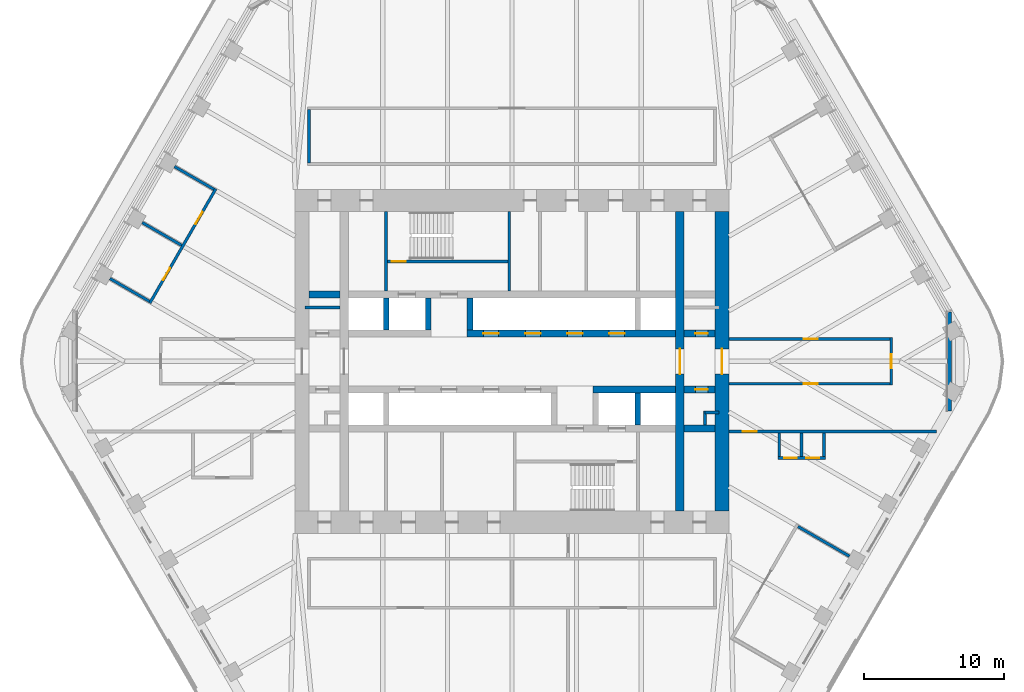
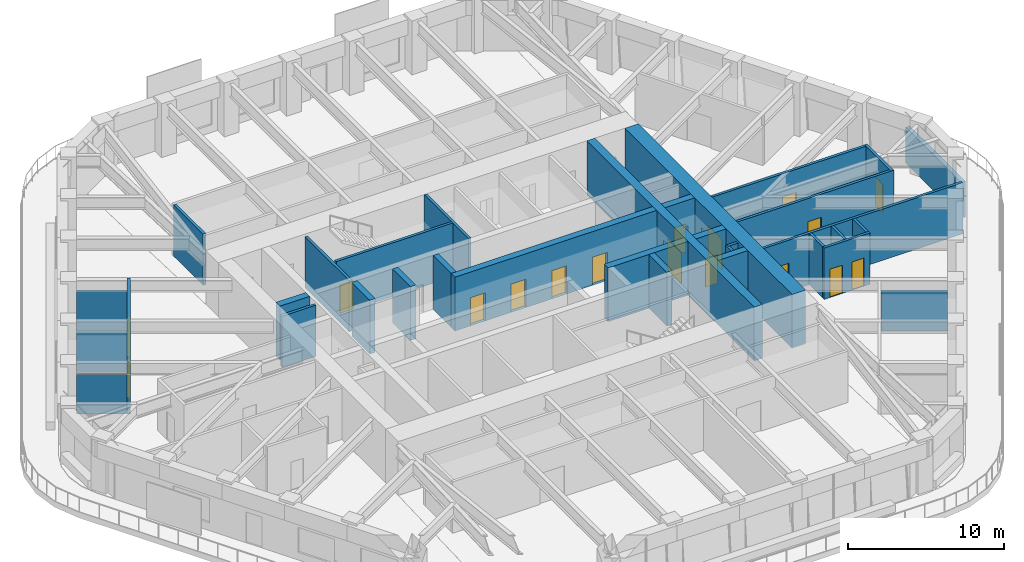
# One storey, part 16 of 20: 33 walls, 17 doors, 17 openings.
"""IFC4 building model written with IfcOpenShell, lengths in metres."""

from ifc_helpers import new_model, si_unit, direction, frame, frame_2d, origin, place, context, subcontext, project, spatial, rectangle, extrude, material, layer, layer_set, type_object, element, fill, save


model = new_model("IFC4")

# Units and contexts
model_context = context("Model", 3, precision=1e-05, world=origin(), true_north=direction((0.0, 1.0)))
body_context = subcontext(model_context, "Body", "Model", "MODEL_VIEW")
ifc_project = project(units=[si_unit("LENGTHUNIT", "METRE"), si_unit("AREAUNIT", "SQUARE_METRE"), si_unit("VOLUMEUNIT", "CUBIC_METRE"), si_unit("PLANEANGLEUNIT", "RADIAN"), si_unit("MASSUNIT", "GRAM", prefix="KILO")], contexts=[model_context])

# Site, building, storey
site_placement = place(None, origin())
site = spatial("IfcSite", under=ifc_project, at=site_placement, CompositionType="ELEMENT")
building_placement = place(site_placement, origin())
building = spatial("IfcBuilding", under=site, at=building_placement, Name="Tarfa Lantern Tower", CompositionType="ELEMENT")
storey_placement = place(building_placement, frame((0.0, 0.0, 286.89990234375)))
storey = spatial("IfcBuildingStorey", under=building, at=storey_placement, Name="L65", CompositionType="ELEMENT", Elevation=286.89990234375)

# Walls
ifc_material_1 = material(Name="Limestone cladding on blockwork", Category="masonry")
ifc_layer_1 = layer(ifc_material_1, 0.300048828125)
ifc_layer_set_1 = layer_set([ifc_layer_1], Name="EW1 STONE-CLAD WALL 300")
wall_type_1 = type_object("IfcWallType", Name="EW1 STONE-CLAD WALL 300", PredefinedType="SOLIDWALL", material=ifc_layer_set_1)
wall_1_placement = place(storey_placement, frame((31.262939453125, -3.55078125, 0.0), z_axis=(0.0, 0.0, 1.0), x_axis=(0.0, 1.0, 0.0)))
element("IfcWall", 1, at=wall_1_placement, inside=storey, type_object=wall_type_1, Name="Garden wall SE-NE", PredefinedType="SOLIDWALL", context=body_context, shape_type="SweptSolid", body=[
    extrude(rectangle(XDim=7.1015625, YDim=0.300048828125, at=frame_2d((3.55078125, 0.0))), origin(), (0.0, 0.0, 1.0), 2.800048828125),
])
ifc_material_2 = material(Name="Concrete blockwork", Category="masonry")
ifc_layer_2 = layer(ifc_material_2, 0.199951171875)
ifc_layer_set_2 = layer_set([ifc_layer_2], Name="IW1 BLOCKWORK PARTITION 200 EI 120")
wall_type_2 = type_object("IfcWallType", Name="IW1 BLOCKWORK PARTITION 200 EI 120", PredefinedType="PARTITIONING", material=ifc_layer_set_2)
wall_2_placement = place(storey_placement, frame((-9.0, 5.050048828125, 0.0), z_axis=(0.0, 0.0, 1.0), x_axis=(0.0, 1.0, 0.0)))
element("IfcWall", 2, at=wall_2_placement, inside=storey, type_object=wall_type_2, Name="Core partition", PredefinedType="PARTITIONING", context=body_context, shape_type="SweptSolid", body=[
    extrude(rectangle(XDim=5.64990234375, YDim=0.199951171875, at=frame_2d((2.824951171875, 0.0))), origin(), (0.0, 0.0, 1.0), 4.0),
])
wall_3_placement = place(storey_placement, frame((-14.800048828125, 3.85009765625, 0.0), z_axis=(0.0, 0.0, 1.0), x_axis=(1.0, 0.0, 0.0)))
element("IfcWall", 3, at=wall_3_placement, inside=storey, type_object=wall_type_2, Name="Core partition", PredefinedType="PARTITIONING", context=body_context, shape_type="SweptSolid", body=[
    extrude(rectangle(XDim=2.5, YDim=0.199951171875, at=frame_2d((1.25, 0.0))), origin(), (0.0, 0.0, 1.0), 4.0),
])
for number, where, z_axis, x_axis, name in (
    (4, (14.800048828125, -3.64990234375, 0.0), (0.0, 0.0, 1.0), (-1.0, 0.0, 0.0), "Core partition"),
    (5, (13.800048828125, -3.550048828125, 0.0), (0.0, 0.0, 1.0), (0.0, -1.0, 0.0), "Core partition"),
):
    element("IfcWall", number, at=place(storey_placement, frame(where, z_axis=z_axis, x_axis=x_axis)), inside=storey, type_object=wall_type_2, Name=name, PredefinedType="PARTITIONING", context=body_context, shape_type="SweptSolid", body=[
        extrude(rectangle(XDim=1.0, YDim=0.199951171875, at=frame_2d((0.5, 0.0))), origin(), (0.0, 0.0, 1.0), 4.0),
    ])
ifc_material_3 = material(Name="Gypsum board on steel studs", Category="steel")
ifc_layer_3 = layer(ifc_material_3, 0.2099609375)
ifc_layer_set_3 = layer_set([ifc_layer_3], Name="IW2 ACOUSTIC PARTITION 200")
wall_type_3 = type_object("IfcWallType", Name="IW2 ACOUSTIC PARTITION 200", PredefinedType="PARTITIONING", material=ifc_layer_set_3)
wall_4_placement = place(storey_placement, frame((-14.5, 14.199951171875, 0.0), z_axis=(0.0, 0.0, 1.0), x_axis=(0.0, 1.0, 0.0)))
element("IfcWall", 6, at=wall_4_placement, inside=storey, type_object=wall_type_3, Name="Partition", PredefinedType="PARTITIONING", context=body_context, shape_type="SweptSolid", body=[
    extrude(rectangle(XDim=3.800048828125, YDim=0.199951171875, at=frame_2d((1.89990234375, 0.0))), origin(), (0.0, 0.0, 1.0), 4.0),
])

# Wall, openings, doors
wall_5_placement = place(storey_placement, frame((-21.167724609375, 12.336669921875, 0.0), z_axis=(0.0, 0.0, 1.0), x_axis=(-0.499989672313, -0.866031366395, 0.0)))
wall_5 = element("IfcWall", 7, at=wall_5_placement, inside=storey, type_object=wall_type_3, Name="Partition", PredefinedType="PARTITIONING", context=body_context, shape_type="SweptSolid", body=[
    extrude(rectangle(XDim=9.437744140625, YDim=0.199951171875, at=frame_2d((4.71875, 0.0))), origin(), (0.0, 0.0, 1.0), 4.0),
])
opening_1_placement = place(wall_5_placement, frame((1.909423828125, 0.0, 0.0)))
opening_1 = element("IfcOpeningElement", 8, at=opening_1_placement, cuts=wall_5, Name="Opening D28", PredefinedType="OPENING", context=body_context, shape_type="SweptSolid", body=[
    extrude(rectangle(XDim=1.0, YDim=2.199951171875, at=frame_2d((0.5, 1.10009765625))), frame((0.0, 0.10986328125, 0.0), z_axis=(0.0, -1.0, 0.0), x_axis=(1.0, 0.0, 0.0)), (0.0, 0.0, 1.0), 0.219970703125),
])
opening_2_placement = place(wall_5_placement, frame((6.5283203125, 0.0, 0.0)))
opening_2 = element("IfcOpeningElement", 9, at=opening_2_placement, cuts=wall_5, Name="Opening D29", PredefinedType="OPENING", context=body_context, shape_type="SweptSolid", body=[
    extrude(rectangle(XDim=1.0, YDim=2.199951171875, at=frame_2d((0.5, 1.10009765625))), frame((0.0, 0.10986328125, 0.0), z_axis=(0.0, -1.0, 0.0), x_axis=(1.0, 0.0, 0.0)), (0.0, 0.0, 1.0), 0.219970703125),
])
ifc_material_4 = material(Name="Timber door", Category="wood")
door_type_1 = type_object("IfcDoorType", Name="DR1 ROOM DOOR 1000x2200", OperationType="SINGLE_SWING_LEFT", PredefinedType="DOOR", material=ifc_material_4)
door_1_placement = place(opening_1_placement, frame((1.0, 0.0, 0.0), z_axis=(0.0, 0.0, 1.0), x_axis=(-1.0, 0.0, 0.0)))
door_1 = element("IfcDoor", 10, at=door_1_placement, inside=storey, type_object=door_type_1, Name="Pantry door", OperationType="SINGLE_SWING_LEFT", OverallHeight=2.199951171875, OverallWidth=1.0, PredefinedType="DOOR", context=body_context, shape_type="SweptSolid", body=[
    extrude(rectangle(XDim=1.0, YDim=2.199951171875, at=frame_2d((0.5, 1.10009765625))), frame((0.0, 0.02490234375, 0.0), z_axis=(0.0, -1.0, 0.0), x_axis=(1.0, 0.0, 0.0)), (0.0, 0.0, 1.0), 0.050048828125),
])
fill(opening_1, door_1)
door_2_placement = place(opening_2_placement, frame((1.0, 0.0, 0.0), z_axis=(0.0, 0.0, 1.0), x_axis=(-1.0, 0.0, 0.0)))
door_2 = element("IfcDoor", 11, at=door_2_placement, inside=storey, type_object=door_type_1, Name="Quiet room door", OperationType="SINGLE_SWING_RIGHT", OverallHeight=2.199951171875, OverallWidth=1.0, PredefinedType="DOOR", context=body_context, shape_type="SweptSolid", body=[
    extrude(rectangle(XDim=1.0, YDim=2.199951171875, at=frame_2d((0.5, 1.10009765625))), frame((0.0, 0.02490234375, 0.0), z_axis=(0.0, -1.0, 0.0), x_axis=(1.0, 0.0, 0.0)), (0.0, 0.0, 1.0), 0.050048828125),
])
fill(opening_2, door_2)

# Walls
for number, where, z_axis, x_axis, name in (
    (12, (-21.30419921875, 12.300048828125, 0.0), (0.0, 0.0, 1.0), (-0.866034226713, 0.499984717929, 0.0), "Partition"),
    (13, (-23.613525390625, 8.300048828125, 0.0), (0.0, 0.0, 1.0), (-0.866034226713, 0.499984717929, 0.0), "Partition"),
    (14, (-25.923095703125, 4.300048828125, 0.0), (0.0, 0.0, 1.0), (-0.866015446554, 0.500017246033, 0.0), "Partition"),
):
    element("IfcWall", number, at=place(storey_placement, frame(where, z_axis=z_axis, x_axis=x_axis)), inside=storey, type_object=wall_type_3, Name=name, PredefinedType="PARTITIONING", context=body_context, shape_type="SweptSolid", body=[
        extrude(rectangle(XDim=3.25, YDim=0.199951171875, at=frame_2d((1.625, 0.0))), origin(), (0.0, 0.0, 1.0), 3.081787109375),
    ])
wall_6_placement = place(storey_placement, frame((20.438232421875, -11.800048828125, 0.0), z_axis=(0.0, 0.0, 1.0), x_axis=(0.866028703517, -0.499994284652, 0.0)))
element("IfcWall", 15, at=wall_6_placement, inside=storey, type_object=wall_type_3, Name="Partition", PredefinedType="PARTITIONING", context=body_context, shape_type="SweptSolid", body=[
    extrude(rectangle(XDim=4.25, YDim=0.199951171875, at=frame_2d((2.125, 0.0))), origin(), (0.0, 0.0, 1.0), 3.081787109375),
])

# Wall, opening, door
wall_7_placement = place(storey_placement, frame((15.5, 1.60009765625, 0.0), z_axis=(0.0, 0.0, 1.0), x_axis=(1.0, 0.0, 0.0)))
wall_7 = element("IfcWall", 16, at=wall_7_placement, inside=storey, type_object=wall_type_3, Name="Partition", PredefinedType="PARTITIONING", context=body_context, shape_type="SweptSolid", body=[
    extrude(rectangle(XDim=11.699951171875, YDim=0.199951171875, at=frame_2d((5.85009765625, 0.0))), origin(), (0.0, 0.0, 1.0), 4.0),
])
opening_3_placement = place(wall_7_placement, frame((5.35009765625, 0.0, 0.0)))
opening_3 = element("IfcOpeningElement", 17, at=opening_3_placement, cuts=wall_7, Name="Opening D38", PredefinedType="OPENING", context=body_context, shape_type="SweptSolid", body=[
    extrude(rectangle(XDim=1.0, YDim=2.199951171875, at=frame_2d((0.5, 1.10009765625))), frame((0.0, 0.10986328125, 0.0), z_axis=(0.0, -1.0, 0.0), x_axis=(1.0, 0.0, 0.0)), (0.0, 0.0, 1.0), 0.219970703125),
])
door_3_placement = place(opening_3_placement, origin())
door_3 = element("IfcDoor", 18, at=door_3_placement, inside=storey, type_object=door_type_1, Name="Corridor door", OperationType="SINGLE_SWING_RIGHT", OverallHeight=2.199951171875, OverallWidth=1.0, PredefinedType="DOOR", context=body_context, shape_type="SweptSolid", body=[
    extrude(rectangle(XDim=1.0, YDim=2.199951171875, at=frame_2d((0.5, 1.10009765625))), frame((0.0, 0.02490234375, 0.0), z_axis=(0.0, -1.0, 0.0), x_axis=(1.0, 0.0, 0.0)), (0.0, 0.0, 1.0), 0.050048828125),
])
fill(opening_3, door_3)

wall_8_placement = place(storey_placement, frame((15.5, -1.60009765625, 0.0), z_axis=(0.0, 0.0, 1.0), x_axis=(1.0, 0.0, 0.0)))
wall_8 = element("IfcWall", 19, at=wall_8_placement, inside=storey, type_object=wall_type_3, Name="Partition", PredefinedType="PARTITIONING", context=body_context, shape_type="SweptSolid", body=[
    extrude(rectangle(XDim=11.699951171875, YDim=0.199951171875, at=frame_2d((5.85009765625, 0.0))), origin(), (0.0, 0.0, 1.0), 4.0),
])
opening_4_placement = place(wall_8_placement, frame((5.35009765625, 0.0, 0.0)))
opening_4 = element("IfcOpeningElement", 20, at=opening_4_placement, cuts=wall_8, Name="Opening D39", PredefinedType="OPENING", context=body_context, shape_type="SweptSolid", body=[
    extrude(rectangle(XDim=1.0, YDim=2.199951171875, at=frame_2d((0.5, 1.10009765625))), frame((0.0, 0.10986328125, 0.0), z_axis=(0.0, -1.0, 0.0), x_axis=(1.0, 0.0, 0.0)), (0.0, 0.0, 1.0), 0.219970703125),
])
door_4_placement = place(opening_4_placement, frame((1.0, 0.0, 0.0), z_axis=(0.0, 0.0, 1.0), x_axis=(-1.0, 0.0, 0.0)))
door_4 = element("IfcDoor", 21, at=door_4_placement, inside=storey, type_object=door_type_1, Name="Corridor door", OperationType="SINGLE_SWING_LEFT", OverallHeight=2.199951171875, OverallWidth=1.0, PredefinedType="DOOR", context=body_context, shape_type="SweptSolid", body=[
    extrude(rectangle(XDim=1.0, YDim=2.199951171875, at=frame_2d((0.5, 1.10009765625))), frame((0.0, 0.02490234375, 0.0), z_axis=(0.0, -1.0, 0.0), x_axis=(1.0, 0.0, 0.0)), (0.0, 0.0, 1.0), 0.050048828125),
])
fill(opening_4, door_4)

wall_9_placement = place(storey_placement, frame((27.10009765625, -1.699951171875, 0.0), z_axis=(0.0, 0.0, 1.0), x_axis=(0.0, 1.0, 0.0)))
wall_9 = element("IfcWall", 22, at=wall_9_placement, inside=storey, type_object=wall_type_3, Name="Partition", PredefinedType="PARTITIONING", context=body_context, shape_type="SweptSolid", body=[
    extrude(rectangle(XDim=3.39990234375, YDim=0.199951171875, at=frame_2d((1.699951171875, 0.0))), origin(), (0.0, 0.0, 1.0), 4.0),
])
opening_5_placement = place(wall_9_placement, frame((1.199951171875, 0.0, 0.0)))
opening_5 = element("IfcOpeningElement", 23, at=opening_5_placement, cuts=wall_9, Name="Opening D37", PredefinedType="OPENING", context=body_context, shape_type="SweptSolid", body=[
    extrude(rectangle(XDim=1.0, YDim=2.199951171875, at=frame_2d((0.5, 1.10009765625))), frame((0.0, 0.10986328125, 0.0), z_axis=(0.0, -1.0, 0.0), x_axis=(1.0, 0.0, 0.0)), (0.0, 0.0, 1.0), 0.219970703125),
])
door_5_placement = place(opening_5_placement, frame((1.0, 0.0, 0.0), z_axis=(0.0, 0.0, 1.0), x_axis=(-1.0, 0.0, 0.0)))
door_5 = element("IfcDoor", 24, at=door_5_placement, inside=storey, type_object=door_type_1, Name="Corridor door", OperationType="SINGLE_SWING_LEFT", OverallHeight=2.199951171875, OverallWidth=1.0, PredefinedType="DOOR", context=body_context, shape_type="SweptSolid", body=[
    extrude(rectangle(XDim=1.0, YDim=2.199951171875, at=frame_2d((0.5, 1.10009765625))), frame((0.0, 0.02490234375, 0.0), z_axis=(0.0, -1.0, 0.0), x_axis=(1.0, 0.0, 0.0)), (0.0, 0.0, 1.0), 0.050048828125),
])
fill(opening_5, door_5)

wall_10_placement = place(storey_placement, frame((15.5, -5.0, 0.0), z_axis=(0.0, 0.0, 1.0), x_axis=(1.0, 0.0, 0.0)))
wall_10 = element("IfcWall", 25, at=wall_10_placement, inside=storey, type_object=wall_type_3, Name="Partition", PredefinedType="PARTITIONING", context=body_context, shape_type="SweptSolid", body=[
    extrude(rectangle(XDim=14.845458984375, YDim=0.199951171875, at=frame_2d((7.4228515625, 0.0))), origin(), (0.0, 0.0, 1.0), 4.0),
])
opening_6_placement = place(wall_10_placement, frame((0.984619140625, 0.0, 0.0)))
opening_6 = element("IfcOpeningElement", 26, at=opening_6_placement, cuts=wall_10, Name="Opening D43", PredefinedType="OPENING", context=body_context, shape_type="SweptSolid", body=[
    extrude(rectangle(XDim=1.0, YDim=2.199951171875, at=frame_2d((0.5, 1.10009765625))), frame((0.0, 0.10986328125, 0.0), z_axis=(0.0, -1.0, 0.0), x_axis=(1.0, 0.0, 0.0)), (0.0, 0.0, 1.0), 0.219970703125),
])
door_6_placement = place(opening_6_placement, frame((1.0, 0.0, 0.0), z_axis=(0.0, 0.0, 1.0), x_axis=(-1.0, 0.0, 0.0)))
door_6 = element("IfcDoor", 27, at=door_6_placement, inside=storey, type_object=door_type_1, Name="Zone door", OperationType="SINGLE_SWING_LEFT", OverallHeight=2.199951171875, OverallWidth=1.0, PredefinedType="DOOR", context=body_context, shape_type="SweptSolid", body=[
    extrude(rectangle(XDim=1.0, YDim=2.199951171875, at=frame_2d((0.5, 1.10009765625))), frame((0.0, 0.02490234375, 0.0), z_axis=(0.0, -1.0, 0.0), x_axis=(1.0, 0.0, 0.0)), (0.0, 0.0, 1.0), 0.050048828125),
])
fill(opening_6, door_6)

# Wall, openings, doors
wall_11_placement = place(storey_placement, frame((18.995849609375, -6.89990234375, 0.0), z_axis=(0.0, 0.0, 1.0), x_axis=(1.0, 0.0, 0.0)))
wall_11 = element("IfcWall", 28, at=wall_11_placement, inside=storey, type_object=wall_type_3, Name="Partition", PredefinedType="PARTITIONING", context=body_context, shape_type="SweptSolid", body=[
    extrude(rectangle(XDim=3.400146484375, YDim=0.199951171875, at=frame_2d((1.7001953125, 0.0))), origin(), (0.0, 0.0, 1.0), 4.0),
])
opening_7_placement = place(wall_11_placement, frame((0.449951171875, 0.0, 0.0)))
opening_7 = element("IfcOpeningElement", 29, at=opening_7_placement, cuts=wall_11, Name="Opening D34", PredefinedType="OPENING", context=body_context, shape_type="SweptSolid", body=[
    extrude(rectangle(XDim=0.89990234375, YDim=2.199951171875, at=frame_2d((0.449951171875, 1.10009765625))), frame((0.0, 0.10986328125, 0.0), z_axis=(0.0, -1.0, 0.0), x_axis=(1.0, 0.0, 0.0)), (0.0, 0.0, 1.0), 0.219970703125),
])
opening_8_placement = place(wall_11_placement, frame((2.050048828125, 0.0, 0.0)))
opening_8 = element("IfcOpeningElement", 30, at=opening_8_placement, cuts=wall_11, Name="Opening D35", PredefinedType="OPENING", context=body_context, shape_type="SweptSolid", body=[
    extrude(rectangle(XDim=0.89990234375, YDim=2.199951171875, at=frame_2d((0.449951171875, 1.10009765625))), frame((0.0, 0.10986328125, 0.0), z_axis=(0.0, -1.0, 0.0), x_axis=(1.0, 0.0, 0.0)), (0.0, 0.0, 1.0), 0.219970703125),
])
door_type_2 = type_object("IfcDoorType", Name="DR3 ROOM DOOR 900x2200", OperationType="SINGLE_SWING_LEFT", PredefinedType="DOOR", material=ifc_material_4)
door_7_placement = place(opening_7_placement, origin())
door_7 = element("IfcDoor", 31, at=door_7_placement, inside=storey, type_object=door_type_2, Name="Phone booth door", OperationType="SINGLE_SWING_RIGHT", OverallHeight=2.199951171875, OverallWidth=0.89990234375, PredefinedType="DOOR", context=body_context, shape_type="SweptSolid", body=[
    extrude(rectangle(XDim=0.89990234375, YDim=2.199951171875, at=frame_2d((0.449951171875, 1.10009765625))), frame((0.0, 0.02490234375, 0.0), z_axis=(0.0, -1.0, 0.0), x_axis=(1.0, 0.0, 0.0)), (0.0, 0.0, 1.0), 0.050048828125),
])
fill(opening_7, door_7)
door_8_placement = place(opening_8_placement, origin())
door_8 = element("IfcDoor", 32, at=door_8_placement, inside=storey, type_object=door_type_2, Name="Phone booth door", OperationType="SINGLE_SWING_LEFT", OverallHeight=2.199951171875, OverallWidth=0.89990234375, PredefinedType="DOOR", context=body_context, shape_type="SweptSolid", body=[
    extrude(rectangle(XDim=0.89990234375, YDim=2.199951171875, at=frame_2d((0.449951171875, 1.10009765625))), frame((0.0, 0.02490234375, 0.0), z_axis=(0.0, -1.0, 0.0), x_axis=(1.0, 0.0, 0.0)), (0.0, 0.0, 1.0), 0.050048828125),
])
fill(opening_8, door_8)

# Walls
for number, where, z_axis, x_axis, name in (
    (33, (19.095947265625, -5.10009765625, 0.0), (0.0, 0.0, 1.0), (0.0, -1.0, 0.0), "Partition"),
    (34, (20.69580078125, -5.10009765625, 0.0), (0.0, 0.0, 1.0), (0.0, -1.0, 0.0), "Partition"),
    (35, (22.2958984375, -5.10009765625, 0.0), (0.0, 0.0, 1.0), (0.0, -1.0, 0.0), "Partition"),
):
    element("IfcWall", number, at=place(storey_placement, frame(where, z_axis=z_axis, x_axis=x_axis)), inside=storey, type_object=wall_type_3, Name=name, PredefinedType="PARTITIONING", context=body_context, shape_type="SweptSolid", body=[
        extrude(rectangle(XDim=1.699951171875, YDim=0.199951171875, at=frame_2d((0.85009765625, 0.0))), origin(), (0.0, 0.0, 1.0), 4.0),
    ])
ifc_material_5 = material(Name="Concrete C80/95", Category="concrete")
ifc_layer_4 = layer(ifc_material_5, 0.199951171875)
ifc_layer_set_4 = layer_set([ifc_layer_4], Name="SW12 CORE WALL 200")
wall_type_4 = type_object("IfcWallType", Name="SW12 CORE WALL 200", PredefinedType="SHEAR", material=ifc_layer_set_4)
wall_12_placement = place(storey_placement, frame((-0.199951171875, 5.050048828125, 0.0), z_axis=(0.0, 0.0, 1.0), x_axis=(0.0, 1.0, 0.0)))
element("IfcWall", 36, at=wall_12_placement, inside=storey, type_object=wall_type_4, Name="Core wall stair shaft N", PredefinedType="SHEAR", context=body_context, shape_type="SweptSolid", body=[
    extrude(rectangle(XDim=5.64990234375, YDim=0.199951171875, at=frame_2d((2.824951171875, 0.0))), origin(), (0.0, 0.0, 1.0), 4.2001953125),
])

# Wall, opening, door
wall_13_placement = place(storey_placement, frame((-8.89990234375, 7.14990234375, 0.0), z_axis=(0.0, 0.0, 1.0), x_axis=(1.0, 0.0, 0.0)))
wall_13 = element("IfcWall", 37, at=wall_13_placement, inside=storey, type_object=wall_type_4, Name="Core wall stair partition N", PredefinedType="SHEAR", context=body_context, shape_type="SweptSolid", body=[
    extrude(rectangle(XDim=8.599853515625, YDim=0.199951171875, at=frame_2d((4.2998046875, 0.0))), origin(), (0.0, 0.0, 1.0), 4.2001953125),
])
opening_9_placement = place(wall_13_placement, frame((0.300048828125, 0.0, 0.0)))
opening_9 = element("IfcOpeningElement", 38, at=opening_9_placement, cuts=wall_13, Name="Opening D23", PredefinedType="OPENING", context=body_context, shape_type="SweptSolid", body=[
    extrude(rectangle(XDim=1.0, YDim=2.199951171875, at=frame_2d((0.5, 1.10009765625))), frame((0.0, 0.10986328125, 0.0), z_axis=(0.0, -1.0, 0.0), x_axis=(1.0, 0.0, 0.0)), (0.0, 0.0, 1.0), 0.219970703125),
])
ifc_material_6 = material(Name="Steel fire door", Category="steel")
door_type_3 = type_object("IfcDoorType", Name="DF2 STAIR DOOR 1000x2200", OperationType="SINGLE_SWING_LEFT", PredefinedType="DOOR", material=ifc_material_6)
door_9_placement = place(opening_9_placement, origin())
door_9 = element("IfcDoor", 39, at=door_9_placement, inside=storey, type_object=door_type_3, Name="Stair door", OperationType="SINGLE_SWING_RIGHT", OverallHeight=2.199951171875, OverallWidth=1.0, PredefinedType="DOOR", context=body_context, shape_type="SweptSolid", body=[
    extrude(rectangle(XDim=1.0, YDim=2.199951171875, at=frame_2d((0.5, 1.10009765625))), frame((0.0, 0.02490234375, 0.0), z_axis=(0.0, -1.0, 0.0), x_axis=(1.0, 0.0, 0.0)), (0.0, 0.0, 1.0), 0.050048828125),
])
fill(opening_9, door_9)

ifc_layer_5 = layer(ifc_material_5, 1.0)
ifc_layer_set_5 = layer_set([ifc_layer_5], Name="SW2 CORE WALL 1000")
wall_type_5 = type_object("IfcWallType", Name="SW2 CORE WALL 1000", PredefinedType="SHEAR", material=ifc_layer_set_5)
wall_14_placement = place(storey_placement, frame((15.0, -10.699951171875, 0.0), z_axis=(0.0, 0.0, 1.0), x_axis=(0.0, 1.0, 0.0)))
wall_14 = element("IfcWall", 40, at=wall_14_placement, inside=storey, type_object=wall_type_5, Name="Core wall E", PredefinedType="SHEAR", context=body_context, shape_type="SweptSolid", body=[
    extrude(rectangle(XDim=21.39990234375, YDim=1.0, at=frame_2d((10.699951171875, 0.0))), origin(), (0.0, 0.0, 1.0), 4.2001953125),
])
opening_10_placement = place(wall_14_placement, frame((9.800048828125, 0.0, 0.0)))
opening_10 = element("IfcOpeningElement", 41, at=opening_10_placement, cuts=wall_14, Name="Opening D11", PredefinedType="OPENING", context=body_context, shape_type="SweptSolid", body=[
    extrude(rectangle(XDim=1.800048828125, YDim=2.39990234375, at=frame_2d((0.89990234375, 1.199951171875))), frame((0.0, 0.510009765625, 0.0), z_axis=(0.0, -1.0, 0.0), x_axis=(1.0, 0.0, 0.0)), (0.0, 0.0, 1.0), 1.02001953125),
])
door_type_4 = type_object("IfcDoorType", Name="DL1 LOBBY DOOR 1800x2400", OperationType="DOUBLE_DOOR_SINGLE_SWING", PredefinedType="DOOR", material=ifc_material_6)
door_10_placement = place(opening_10_placement, frame((1.800048828125, 0.0, 0.0), z_axis=(0.0, 0.0, 1.0), x_axis=(-1.0, 0.0, 0.0)))
door_10 = element("IfcDoor", 42, at=door_10_placement, inside=storey, type_object=door_type_4, Name="Lift lobby door", OperationType="DOUBLE_DOOR_SINGLE_SWING", OverallHeight=2.39990234375, OverallWidth=1.800048828125, PredefinedType="DOOR", context=body_context, shape_type="SweptSolid", body=[
    extrude(rectangle(XDim=1.800048828125, YDim=2.39990234375, at=frame_2d((0.89990234375, 1.199951171875))), frame((0.0, 0.02490234375, 0.0), z_axis=(0.0, -1.0, 0.0), x_axis=(1.0, 0.0, 0.0)), (0.0, 0.0, 1.0), 0.050048828125),
])
fill(opening_10, door_10)

# Wall, openings, doors
ifc_layer_6 = layer(ifc_material_5, 0.5)
ifc_layer_set_6 = layer_set([ifc_layer_6], Name="SW5 CORE WALL 500")
wall_type_6 = type_object("IfcWallType", Name="SW5 CORE WALL 500", PredefinedType="SHEAR", material=ifc_layer_set_6)
wall_15_placement = place(storey_placement, frame((-3.199951171875, 2.0, 0.0), z_axis=(0.0, 0.0, 1.0), x_axis=(1.0, 0.0, 0.0)))
wall_15 = element("IfcWall", 43, at=wall_15_placement, inside=storey, type_object=wall_type_6, Name="Core wall lobby east N", PredefinedType="SHEAR", context=body_context, shape_type="SweptSolid", body=[
    extrude(rectangle(XDim=14.89990234375, YDim=0.5, at=frame_2d((7.449951171875, 0.0))), origin(), (0.0, 0.0, 1.0), 4.2001953125),
])
opening_11_placement = place(wall_15_placement, frame((1.14990234375, 0.0, 0.0)))
opening_11 = element("IfcOpeningElement", 44, at=opening_11_placement, cuts=wall_15, Name="Opening LD03", PredefinedType="OPENING", context=body_context, shape_type="SweptSolid", body=[
    extrude(rectangle(XDim=1.10009765625, YDim=2.199951171875, at=frame_2d((0.550048828125, 1.10009765625))), frame((0.0, 0.260009765625, 0.0), z_axis=(0.0, -1.0, 0.0), x_axis=(1.0, 0.0, 0.0)), (0.0, 0.0, 1.0), 0.52001953125),
])
opening_12_placement = place(wall_15_placement, frame((4.14990234375, 0.0, 0.0)))
opening_12 = element("IfcOpeningElement", 45, at=opening_12_placement, cuts=wall_15, Name="Opening LD04", PredefinedType="OPENING", context=body_context, shape_type="SweptSolid", body=[
    extrude(rectangle(XDim=1.10009765625, YDim=2.199951171875, at=frame_2d((0.550048828125, 1.10009765625))), frame((0.0, 0.260009765625, 0.0), z_axis=(0.0, -1.0, 0.0), x_axis=(1.0, 0.0, 0.0)), (0.0, 0.0, 1.0), 0.52001953125),
])
opening_13_placement = place(wall_15_placement, frame((7.14990234375, 0.0, 0.0)))
opening_13 = element("IfcOpeningElement", 46, at=opening_13_placement, cuts=wall_15, Name="Opening LD05", PredefinedType="OPENING", context=body_context, shape_type="SweptSolid", body=[
    extrude(rectangle(XDim=1.10009765625, YDim=2.199951171875, at=frame_2d((0.550048828125, 1.10009765625))), frame((0.0, 0.260009765625, 0.0), z_axis=(0.0, -1.0, 0.0), x_axis=(1.0, 0.0, 0.0)), (0.0, 0.0, 1.0), 0.52001953125),
])
opening_14_placement = place(wall_15_placement, frame((10.14990234375, 0.0, 0.0)))
opening_14 = element("IfcOpeningElement", 47, at=opening_14_placement, cuts=wall_15, Name="Opening LD06", PredefinedType="OPENING", context=body_context, shape_type="SweptSolid", body=[
    extrude(rectangle(XDim=1.10009765625, YDim=2.199951171875, at=frame_2d((0.550048828125, 1.10009765625))), frame((0.0, 0.260009765625, 0.0), z_axis=(0.0, -1.0, 0.0), x_axis=(1.0, 0.0, 0.0)), (0.0, 0.0, 1.0), 0.52001953125),
])
ifc_material_7 = material(Name="Stainless steel lift door", Category="steel")
door_type_5 = type_object("IfcDoorType", Name="LD2 LIFT LANDING DOOR 1100x2200", OperationType="SLIDING_TO_LEFT", PredefinedType="DOOR", material=ifc_material_7)
door_11_placement = place(opening_11_placement, frame((1.10009765625, 0.0, 0.0), z_axis=(0.0, 0.0, 1.0), x_axis=(-1.0, 0.0, 0.0)))
door_11 = element("IfcDoor", 48, at=door_11_placement, inside=storey, type_object=door_type_5, Name="Landing door PC1", OperationType="SLIDING_TO_LEFT", OverallHeight=2.199951171875, OverallWidth=1.10009765625, PredefinedType="DOOR", context=body_context, shape_type="SweptSolid", body=[
    extrude(rectangle(XDim=1.10009765625, YDim=2.199951171875, at=frame_2d((0.550048828125, 1.10009765625))), frame((0.0, 0.02490234375, 0.0), z_axis=(0.0, -1.0, 0.0), x_axis=(1.0, 0.0, 0.0)), (0.0, 0.0, 1.0), 0.050048828125),
])
fill(opening_11, door_11)
door_12_placement = place(opening_12_placement, frame((1.10009765625, 0.0, 0.0), z_axis=(0.0, 0.0, 1.0), x_axis=(-1.0, 0.0, 0.0)))
door_12 = element("IfcDoor", 49, at=door_12_placement, inside=storey, type_object=door_type_5, Name="Landing door PC2", OperationType="SLIDING_TO_LEFT", OverallHeight=2.199951171875, OverallWidth=1.10009765625, PredefinedType="DOOR", context=body_context, shape_type="SweptSolid", body=[
    extrude(rectangle(XDim=1.10009765625, YDim=2.199951171875, at=frame_2d((0.550048828125, 1.10009765625))), frame((0.0, 0.02490234375, 0.0), z_axis=(0.0, -1.0, 0.0), x_axis=(1.0, 0.0, 0.0)), (0.0, 0.0, 1.0), 0.050048828125),
])
fill(opening_12, door_12)
door_13_placement = place(opening_13_placement, frame((1.10009765625, 0.0, 0.0), z_axis=(0.0, 0.0, 1.0), x_axis=(-1.0, 0.0, 0.0)))
door_13 = element("IfcDoor", 50, at=door_13_placement, inside=storey, type_object=door_type_5, Name="Landing door PC3", OperationType="SLIDING_TO_LEFT", OverallHeight=2.199951171875, OverallWidth=1.10009765625, PredefinedType="DOOR", context=body_context, shape_type="SweptSolid", body=[
    extrude(rectangle(XDim=1.10009765625, YDim=2.199951171875, at=frame_2d((0.550048828125, 1.10009765625))), frame((0.0, 0.02490234375, 0.0), z_axis=(0.0, -1.0, 0.0), x_axis=(1.0, 0.0, 0.0)), (0.0, 0.0, 1.0), 0.050048828125),
])
fill(opening_13, door_13)
door_14_placement = place(opening_14_placement, frame((1.10009765625, 0.0, 0.0), z_axis=(0.0, 0.0, 1.0), x_axis=(-1.0, 0.0, 0.0)))
door_14 = element("IfcDoor", 51, at=door_14_placement, inside=storey, type_object=door_type_5, Name="Landing door PC4", OperationType="SLIDING_TO_LEFT", OverallHeight=2.199951171875, OverallWidth=1.10009765625, PredefinedType="DOOR", context=body_context, shape_type="SweptSolid", body=[
    extrude(rectangle(XDim=1.10009765625, YDim=2.199951171875, at=frame_2d((0.550048828125, 1.10009765625))), frame((0.0, 0.02490234375, 0.0), z_axis=(0.0, -1.0, 0.0), x_axis=(1.0, 0.0, 0.0)), (0.0, 0.0, 1.0), 0.050048828125),
])
fill(opening_14, door_14)

# Wall, opening, door
wall_16_placement = place(storey_placement, frame((12.300048828125, 2.0, 0.0), z_axis=(0.0, 0.0, 1.0), x_axis=(1.0, 0.0, 0.0)))
wall_16 = element("IfcWall", 52, at=wall_16_placement, inside=storey, type_object=wall_type_6, Name="Core wall lobby east N", PredefinedType="SHEAR", context=body_context, shape_type="SweptSolid", body=[
    extrude(rectangle(XDim=2.199951171875, YDim=0.5, at=frame_2d((1.10009765625, 0.0))), origin(), (0.0, 0.0, 1.0), 4.2001953125),
])
opening_15_placement = place(wall_16_placement, frame((0.800048828125, 0.0, 0.0)))
opening_15 = element("IfcOpeningElement", 53, at=opening_15_placement, cuts=wall_16, Name="Opening D13", PredefinedType="OPENING", context=body_context, shape_type="SweptSolid", body=[
    extrude(rectangle(XDim=0.89990234375, YDim=2.199951171875, at=frame_2d((0.449951171875, 1.10009765625))), frame((0.0, 0.260009765625, 0.0), z_axis=(0.0, -1.0, 0.0), x_axis=(1.0, 0.0, 0.0)), (0.0, 0.0, 1.0), 0.52001953125),
])
door_type_6 = type_object("IfcDoorType", Name="DF6 SERVICE ROOM DOOR 900x2200", OperationType="SINGLE_SWING_LEFT", PredefinedType="DOOR", material=ifc_material_6)
door_15_placement = place(opening_15_placement, origin())
door_15 = element("IfcDoor", 54, at=door_15_placement, inside=storey, type_object=door_type_6, Name="Service room door", OperationType="SINGLE_SWING_LEFT", OverallHeight=2.199951171875, OverallWidth=0.89990234375, PredefinedType="DOOR", context=body_context, shape_type="SweptSolid", body=[
    extrude(rectangle(XDim=0.89990234375, YDim=2.199951171875, at=frame_2d((0.449951171875, 1.10009765625))), frame((0.0, 0.02490234375, 0.0), z_axis=(0.0, -1.0, 0.0), x_axis=(1.0, 0.0, 0.0)), (0.0, 0.0, 1.0), 0.050048828125),
])
fill(opening_15, door_15)

# Wall
wall_17_placement = place(storey_placement, frame((-14.5, 4.800048828125, 0.0), z_axis=(0.0, 0.0, 1.0), x_axis=(1.0, 0.0, 0.0)))
element("IfcWall", 55, at=wall_17_placement, inside=storey, type_object=wall_type_6, Name="Core wall rear N", PredefinedType="SHEAR", context=body_context, shape_type="SweptSolid", body=[
    extrude(rectangle(XDim=2.199951171875, YDim=0.5, at=frame_2d((1.10009765625, 0.0))), origin(), (0.0, 0.0, 1.0), 4.2001953125),
])

# Wall, opening, door
wall_18_placement = place(storey_placement, frame((14.5, -2.0, 0.0), z_axis=(0.0, 0.0, 1.0), x_axis=(-1.0, 0.0, 0.0)))
wall_18 = element("IfcWall", 56, at=wall_18_placement, inside=storey, type_object=wall_type_6, Name="Core wall lobby west S", PredefinedType="SHEAR", context=body_context, shape_type="SweptSolid", body=[
    extrude(rectangle(XDim=2.199951171875, YDim=0.5, at=frame_2d((1.10009765625, 0.0))), origin(), (0.0, 0.0, 1.0), 4.2001953125),
])
opening_16_placement = place(wall_18_placement, frame((0.5, 0.0, 0.0)))
opening_16 = element("IfcOpeningElement", 57, at=opening_16_placement, cuts=wall_18, Name="Opening D16", PredefinedType="OPENING", context=body_context, shape_type="SweptSolid", body=[
    extrude(rectangle(XDim=0.89990234375, YDim=2.199951171875, at=frame_2d((0.449951171875, 1.10009765625))), frame((0.0, 0.260009765625, 0.0), z_axis=(0.0, -1.0, 0.0), x_axis=(1.0, 0.0, 0.0)), (0.0, 0.0, 1.0), 0.52001953125),
])
door_16_placement = place(opening_16_placement, origin())
door_16 = element("IfcDoor", 58, at=door_16_placement, inside=storey, type_object=door_type_6, Name="Service room door", OperationType="SINGLE_SWING_RIGHT", OverallHeight=2.199951171875, OverallWidth=0.89990234375, PredefinedType="DOOR", context=body_context, shape_type="SweptSolid", body=[
    extrude(rectangle(XDim=0.89990234375, YDim=2.199951171875, at=frame_2d((0.449951171875, 1.10009765625))), frame((0.0, 0.02490234375, 0.0), z_axis=(0.0, -1.0, 0.0), x_axis=(1.0, 0.0, 0.0)), (0.0, 0.0, 1.0), 0.050048828125),
])
fill(opening_16, door_16)

# Walls
wall_19_placement = place(storey_placement, frame((11.699951171875, -2.0, 0.0), z_axis=(0.0, 0.0, 1.0), x_axis=(-1.0, 0.0, 0.0)))
element("IfcWall", 59, at=wall_19_placement, inside=storey, type_object=wall_type_6, Name="Core wall lobby west S", PredefinedType="SHEAR", context=body_context, shape_type="SweptSolid", body=[
    extrude(rectangle(XDim=5.89990234375, YDim=0.5, at=frame_2d((2.949951171875, 0.0))), origin(), (0.0, 0.0, 1.0), 4.2001953125),
])
wall_20_placement = place(storey_placement, frame((14.5, -4.800048828125, 0.0), z_axis=(0.0, 0.0, 1.0), x_axis=(-1.0, 0.0, 0.0)))
element("IfcWall", 60, at=wall_20_placement, inside=storey, type_object=wall_type_6, Name="Core wall rear S", PredefinedType="SHEAR", context=body_context, shape_type="SweptSolid", body=[
    extrude(rectangle(XDim=2.199951171875, YDim=0.5, at=frame_2d((1.10009765625, 0.0))), origin(), (0.0, 0.0, 1.0), 4.2001953125),
])
ifc_layer_7 = layer(ifc_material_5, 0.39990234375)
ifc_layer_set_7 = layer_set([ifc_layer_7], Name="SW6 CORE WALL 400")
wall_type_7 = type_object("IfcWallType", Name="SW6 CORE WALL 400", PredefinedType="SHEAR", material=ifc_layer_set_7)
for number, where, z_axis, x_axis, name in (
    (61, (-9.0, 2.25, 0.0), (0.0, 0.0, 1.0), (0.0, 1.0, 0.0), "Core wall divider N"),
    (62, (-6.0, 2.25, 0.0), (0.0, 0.0, 1.0), (0.0, 1.0, 0.0), "Core wall divider N"),
    (63, (-3.0, 2.25, 0.0), (0.0, 0.0, 1.0), (0.0, 1.0, 0.0), "Core wall divider N"),
    (64, (9.0, -2.25, 0.0), (0.0, 0.0, 1.0), (0.0, -1.0, 0.0), "Core wall divider S"),
):
    element("IfcWall", number, at=place(storey_placement, frame(where, z_axis=z_axis, x_axis=x_axis)), inside=storey, type_object=wall_type_7, Name=name, PredefinedType="SHEAR", context=body_context, shape_type="SweptSolid", body=[
        extrude(rectangle(XDim=2.300048828125, YDim=0.39990234375, at=frame_2d((1.14990234375, 0.0))), origin(), (0.0, 0.0, 1.0), 4.2001953125),
    ])

# Wall, opening, door
ifc_layer_8 = layer(ifc_material_5, 0.60009765625)
ifc_layer_set_8 = layer_set([ifc_layer_8], Name="SW9 CORE WALL 600")
wall_type_8 = type_object("IfcWallType", Name="SW9 CORE WALL 600", PredefinedType="SHEAR", material=ifc_layer_set_8)
wall_21_placement = place(storey_placement, frame((12.0, -10.699951171875, 0.0), z_axis=(0.0, 0.0, 1.0), x_axis=(0.0, 1.0, 0.0)))
wall_21 = element("IfcWall", 65, at=wall_21_placement, inside=storey, type_object=wall_type_8, Name="Core wall cross 12 m east", PredefinedType="SHEAR", context=body_context, shape_type="SweptSolid", body=[
    extrude(rectangle(XDim=21.39990234375, YDim=0.60009765625, at=frame_2d((10.699951171875, 0.0))), origin(), (0.0, 0.0, 1.0), 4.2001953125),
])
opening_17_placement = place(wall_21_placement, frame((9.800048828125, 0.0, 0.0)))
opening_17 = element("IfcOpeningElement", 66, at=opening_17_placement, cuts=wall_21, Name="Opening D25", PredefinedType="OPENING", context=body_context, shape_type="SweptSolid", body=[
    extrude(rectangle(XDim=1.800048828125, YDim=2.39990234375, at=frame_2d((0.89990234375, 1.199951171875))), frame((0.0, 0.31005859375, 0.0), z_axis=(0.0, -1.0, 0.0), x_axis=(1.0, 0.0, 0.0)), (0.0, 0.0, 1.0), 0.6201171875),
])
door_17_placement = place(opening_17_placement, origin())
door_17 = element("IfcDoor", 67, at=door_17_placement, inside=storey, type_object=door_type_4, Name="Lift lobby door", OperationType="DOUBLE_DOOR_SINGLE_SWING", OverallHeight=2.39990234375, OverallWidth=1.800048828125, PredefinedType="DOOR", context=body_context, shape_type="SweptSolid", body=[
    extrude(rectangle(XDim=1.800048828125, YDim=2.39990234375, at=frame_2d((0.89990234375, 1.199951171875))), frame((0.0, 0.02490234375, 0.0), z_axis=(0.0, -1.0, 0.0), x_axis=(1.0, 0.0, 0.0)), (0.0, 0.0, 1.0), 0.050048828125),
])
fill(opening_17, door_17)

save(model, "model.ifc")
